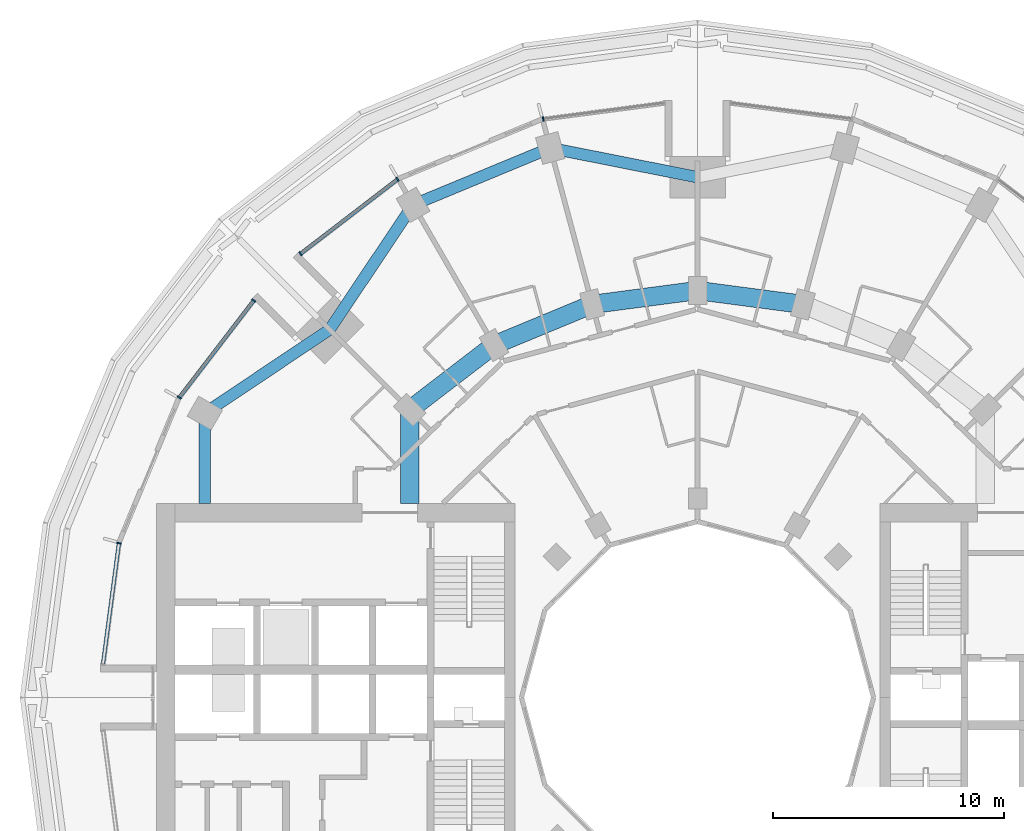
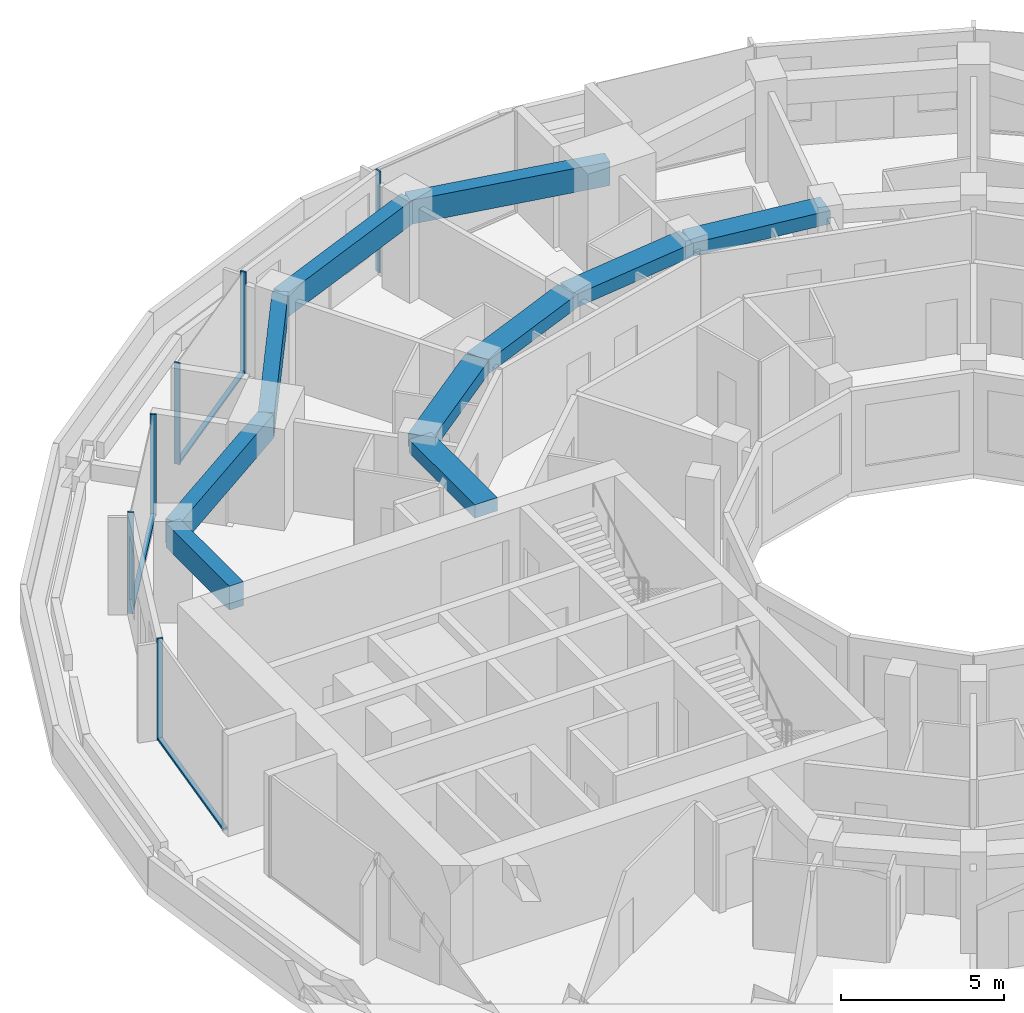
# One storey, part 5 of 19: 10 beams, 9 members, 4 elements without a shape of their own.
"""IFC4 building model written with IfcOpenShell, lengths in metres."""

from ifc_helpers import new_model, si_unit, direction, frame, origin, origin_2d, place, context, subcontext, project, spatial, rectangle, extrude, material, layer, layer_set, material_profile, profile_set, type_object, element, aggregate, save


model = new_model("IFC4")

# Units and contexts
model_context = context("Model", 3, precision=1e-05, world=origin(), true_north=direction((0.0, 1.0)))
body_context = subcontext(model_context, "Body", "Model", "MODEL_VIEW")
ifc_project = project(units=[si_unit("LENGTHUNIT", "METRE"), si_unit("AREAUNIT", "SQUARE_METRE"), si_unit("VOLUMEUNIT", "CUBIC_METRE"), si_unit("PLANEANGLEUNIT", "RADIAN"), si_unit("MASSUNIT", "GRAM", prefix="KILO")], contexts=[model_context])

# Site, building, storey
site_placement = place(None, origin())
site = spatial("IfcSite", under=ifc_project, at=site_placement, CompositionType="ELEMENT")
building_placement = place(site_placement, origin())
building = spatial("IfcBuilding", under=site, at=building_placement, Name="Torre Brocal", CompositionType="ELEMENT")
storey_placement = place(building_placement, frame((0.0, 0.0, 28.800048828125)))
storey = spatial("IfcBuildingStorey", under=building, at=storey_placement, Name="L05", CompositionType="ELEMENT", Elevation=28.800048828125)

# Curtain wall, member
ifc_material_1 = material(Name="Aluminium and glass", Category="aluminium")
ifc_layer_1 = layer(ifc_material_1, 0.199951171875)
ifc_layer_set_1 = layer_set([ifc_layer_1], Name="Aluminium and glass")
curtain_wall_type_1 = type_object("IfcCurtainWallType", Name="CW-1 CURTAIN WALL 3800 HIGH", PredefinedType="NOTDEFINED", material=ifc_layer_set_1)
curtain_wall_1_placement = place(storey_placement, origin())
curtain_wall_1 = element("IfcCurtainWall", 1, at=curtain_wall_1_placement, inside=storey, type_object=curtain_wall_type_1, Name="CW-1 RUN 7", PredefinedType="NOTDEFINED")
ifc_material_2 = material(Name="Aluminium, dark anodised", Category="aluminium")
ifc_material_profile_1 = material_profile(ifc_material_2, rectangle(XDim=0.199951171875, YDim=0.06005859375, at=origin_2d()), Name="CW-1 MULLION 60X200")
ifc_profile_set_1 = profile_set([ifc_material_profile_1], Name="Aluminium, dark anodised")
member_type_1 = type_object("IfcMemberType", Name="CW-1 MULLION 60X200", PredefinedType="MULLION", material=ifc_profile_set_1)
member_1_placement = place(storey_placement, frame((73.32666015625, 100.0205078125, 0.0), z_axis=(0.0, 0.0, 1.0), x_axis=(0.13052619222, -0.991444861374, 0.0)))
member_1 = element("IfcMember", 2, at=member_1_placement, type_object=member_type_1, Name="CW1-1 mullion 2", PredefinedType="MULLION", context=body_context, shape_type="SweptSolid", body=[
    extrude(rectangle(XDim=0.199951171875, YDim=0.06005859375, at=origin_2d()), origin(), (0.0, 0.0, 1.0), 3.800048828125),
])
aggregate(curtain_wall_1, [member_1])

# Curtain wall, members
curtain_wall_2_placement = place(storey_placement, origin())
curtain_wall_2 = element("IfcCurtainWall", 3, at=curtain_wall_2_placement, inside=storey, type_object=curtain_wall_type_1, Name="CW-1 RUN 9", PredefinedType="NOTDEFINED")
member_2_placement = place(storey_placement, frame((67.026611328125, 97.4111328125, 0.0), z_axis=(0.0, 0.0, 1.0), x_axis=(0.60876142905, -0.793353340259, 0.0)))
member_2 = element("IfcMember", 4, at=member_2_placement, type_object=member_type_1, Name="CW1-1 mullion 1", PredefinedType="MULLION", context=body_context, shape_type="SweptSolid", body=[
    extrude(rectangle(XDim=0.199951171875, YDim=0.06005859375, at=origin_2d()), origin(), (0.0, 0.0, 1.0), 3.800048828125),
])
member_3_placement = place(storey_placement, frame((62.83056640625, 94.19140625, 0.0), z_axis=(0.0, 0.0, 1.0), x_axis=(0.60876142905, -0.793353340259, 0.0)))
member_3 = element("IfcMember", 5, at=member_3_placement, type_object=member_type_1, Name="CW1-1 mullion 2", PredefinedType="MULLION", context=body_context, shape_type="SweptSolid", body=[
    extrude(rectangle(XDim=0.199951171875, YDim=0.06005859375, at=origin_2d()), origin(), (0.0, 0.0, 1.0), 3.800048828125),
])

curtain_wall_3_placement = place(storey_placement, origin())
curtain_wall_3 = element("IfcCurtainWall", 6, at=curtain_wall_3_placement, inside=storey, type_object=curtain_wall_type_1, Name="CW-1 RUN 10", PredefinedType="NOTDEFINED")
member_4_placement = place(storey_placement, frame((60.80859375, 92.16943359375, 0.0), z_axis=(0.0, 0.0, 1.0), x_axis=(0.793353340259, -0.60876142905, 0.0)))
member_4 = element("IfcMember", 7, at=member_4_placement, type_object=member_type_1, Name="CW1-1 mullion 1", PredefinedType="MULLION", context=body_context, shape_type="SweptSolid", body=[
    extrude(rectangle(XDim=0.199951171875, YDim=0.06005859375, at=origin_2d()), origin(), (0.0, 0.0, 1.0), 3.800048828125),
])
member_5_placement = place(storey_placement, frame((57.5888671875, 87.973388671875, 0.0), z_axis=(0.0, 0.0, 1.0), x_axis=(0.793353340259, -0.60876142905, 0.0)))
member_5 = element("IfcMember", 8, at=member_5_placement, type_object=member_type_1, Name="CW1-1 mullion 2", PredefinedType="MULLION", context=body_context, shape_type="SweptSolid", body=[
    extrude(rectangle(XDim=0.199951171875, YDim=0.06005859375, at=origin_2d()), origin(), (0.0, 0.0, 1.0), 3.800048828125),
])

# Member
ifc_material_3 = material(Name="Aluminium, dark anodised", Category="aluminium")
ifc_material_profile_2 = material_profile(ifc_material_3, rectangle(XDim=0.159912109375, YDim=0.080078125, at=origin_2d()), Name="CW-1 TRANSOM 160X80")
ifc_profile_set_2 = profile_set([ifc_material_profile_2], Name="Aluminium, dark anodised")
member_type_2 = type_object("IfcMemberType", Name="CW-1 TRANSOM 160X80", PredefinedType="USERDEFINED", material=ifc_profile_set_2)
member_6_placement = place(storey_placement, frame((67.0029296875, 97.392822265625, 0.0400390625), z_axis=(-0.79336281513, -0.60874908096, 0.0), x_axis=(0.60874908096, -0.79336281513, 0.0)))
member_6 = element("IfcMember", 9, at=member_6_placement, type_object=member_type_2, Name="CW1-1 transom 1.1", ObjectType="TRANSOM", PredefinedType="USERDEFINED", context=body_context, shape_type="SweptSolid", body=[
    extrude(rectangle(XDim=0.159912109375, YDim=0.080078125, at=origin_2d()), origin(), (0.0, 0.0, 1.0), 5.22900390625),
])

aggregate(curtain_wall_2, [member_2, member_3, member_6])

member_7_placement = place(storey_placement, frame((60.790283203125, 92.1455078125, 0.0400390625), z_axis=(-0.60874908096, -0.79336281513, 0.0), x_axis=(0.79336281513, -0.60874908096, 0.0)))
member_7 = element("IfcMember", 10, at=member_7_placement, type_object=member_type_2, Name="CW1-1 transom 1.1", ObjectType="TRANSOM", PredefinedType="USERDEFINED", context=body_context, shape_type="SweptSolid", body=[
    extrude(rectangle(XDim=0.159912109375, YDim=0.080078125, at=origin_2d()), origin(), (0.0, 0.0, 1.0), 5.22900390625),
])

aggregate(curtain_wall_3, [member_4, member_5, member_7])

# Curtain wall, members
ifc_material_4 = material(Name="Aluminium and glass", Category="aluminium")
ifc_layer_2 = layer(ifc_material_4, 0.199951171875)
ifc_layer_set_2 = layer_set([ifc_layer_2], Name="Aluminium and glass")
curtain_wall_type_2 = type_object("IfcCurtainWallType", Name="CW-1B CURTAIN WALL 3800 HIGH", PredefinedType="NOTDEFINED", material=ifc_layer_set_2)
curtain_wall_4_placement = place(storey_placement, origin())
curtain_wall_4 = element("IfcCurtainWall", 11, at=curtain_wall_4_placement, inside=storey, type_object=curtain_wall_type_2, Name="CW-1B RUN 12", PredefinedType="NOTDEFINED")
ifc_material_5 = material(Name="Aluminium, dark anodised", Category="aluminium")
ifc_material_profile_3 = material_profile(ifc_material_5, rectangle(XDim=0.199951171875, YDim=0.06005859375, at=origin_2d()), Name="CW-1B MULLION 60X200")
ifc_profile_set_3 = profile_set([ifc_material_profile_3], Name="Aluminium, dark anodised")
member_type_3 = type_object("IfcMemberType", Name="CW-1B MULLION 60X200", PredefinedType="MULLION", material=ifc_profile_set_3)
member_8_placement = place(storey_placement, frame((54.9794921875, 81.67333984375, 0.0), z_axis=(0.0, 0.0, 1.0), x_axis=(0.991444861374, -0.13052619222, 0.0)))
member_8 = element("IfcMember", 12, at=member_8_placement, type_object=member_type_3, Name="CW1B-1 mullion 1", PredefinedType="MULLION", context=body_context, shape_type="SweptSolid", body=[
    extrude(rectangle(XDim=0.199951171875, YDim=0.06005859375, at=origin_2d()), origin(), (0.0, 0.0, 1.0), 3.800048828125),
])
ifc_material_6 = material(Name="Aluminium, dark anodised", Category="aluminium")
ifc_material_profile_4 = material_profile(ifc_material_6, rectangle(XDim=0.159912109375, YDim=0.080078125, at=origin_2d()), Name="CW-1B TRANSOM 160X80")
ifc_profile_set_4 = profile_set([ifc_material_profile_4], Name="Aluminium, dark anodised")
member_type_4 = type_object("IfcMemberType", Name="CW-1B TRANSOM 160X80", PredefinedType="USERDEFINED", material=ifc_profile_set_4)
member_9_placement = place(storey_placement, frame((54.9755859375, 81.643798828125, 0.0400390625), z_axis=(-0.130542677827, -0.991442690863, 0.0), x_axis=(0.991442690863, -0.130542677827, 0.0)))
member_9 = element("IfcMember", 13, at=member_9_placement, type_object=member_type_4, Name="CW1B-1 transom 1.1", ObjectType="TRANSOM", PredefinedType="USERDEFINED", context=body_context, shape_type="SweptSolid", body=[
    extrude(rectangle(XDim=0.159912109375, YDim=0.080078125, at=origin_2d()), origin(), (0.0, 0.0, 1.0), 5.22900390625),
])
aggregate(curtain_wall_4, [member_8, member_9])

# Beams
ifc_material_7 = material(Name="Concrete C50", Category="concrete")
ifc_material_profile_5 = material_profile(ifc_material_7, rectangle(XDim=0.800048828125, YDim=0.5, at=origin_2d()), Name="RC 800X500")
ifc_profile_set_5 = profile_set([ifc_material_profile_5], Name="Concrete C50")
beam_type_1 = type_object("IfcBeamType", Name="RC BEAM 800X500 C50 TOP 3480", PredefinedType="BEAM", material=ifc_profile_set_5)
for number, where, z_axis, x_axis, name in (
    (14, (84.55517578125, 92.000244140625, 3.22998046875), (-0.991440544449, 0.130558978332, 0.0), (-0.130558978332, -0.991440544449, 0.0), "Beam BT-19"),
    (15, (80.0, 92.60009765625, 3.22998046875), (-0.991440544449, -0.130558978332, 0.0), (0.130558978332, -0.991440544449, 0.0), "Beam BT-19"),
):
    element("IfcBeam", number, at=place(storey_placement, frame(where, z_axis=z_axis, x_axis=x_axis)), inside=storey, type_object=beam_type_1, Name=name, PredefinedType="BEAM", context=body_context, shape_type="SweptSolid", body=[
        extrude(rectangle(XDim=0.800048828125, YDim=0.5, at=origin_2d()), origin(), (0.0, 0.0, 1.0), 4.594482421875),
    ])
beam_1_placement = place(storey_placement, frame((75.44482421875, 92.000244140625, 3.22998046875), z_axis=(-0.923878240166, -0.382686552348, 0.0), x_axis=(0.382686552348, -0.923878240166, 0.0)))
element("IfcBeam", 16, at=beam_1_placement, inside=storey, type_object=beam_type_1, Name="Beam BT-19", PredefinedType="BEAM", context=body_context, shape_type="SweptSolid", body=[
    extrude(rectangle(XDim=0.800048828125, YDim=0.5, at=origin_2d()), origin(), (0.0, 0.0, 1.0), 4.5947265625),
])
beam_2_placement = place(storey_placement, frame((71.199951171875, 90.241943359375, 3.22998046875), z_axis=(-0.793358265959, -0.6087550097, 0.0), x_axis=(0.6087550097, -0.793358265959, 0.0)))
element("IfcBeam", 17, at=beam_2_placement, inside=storey, type_object=beam_type_1, Name="Beam BT-19", PredefinedType="BEAM", context=body_context, shape_type="SweptSolid", body=[
    extrude(rectangle(XDim=0.800048828125, YDim=0.5, at=origin_2d()), origin(), (0.0, 0.0, 1.0), 4.594482421875),
])
beam_3_placement = place(storey_placement, frame((67.554931640625, 87.445068359375, 3.22998046875), z_axis=(0.0, -1.0, 0.0), x_axis=(1.0, 0.0, 0.0)))
element("IfcBeam", 18, at=beam_3_placement, inside=storey, type_object=beam_type_1, Name="Beam BT-19", PredefinedType="BEAM", context=body_context, shape_type="SweptSolid", body=[
    extrude(rectangle(XDim=0.800048828125, YDim=0.5, at=origin_2d()), origin(), (0.0, 0.0, 1.0), 4.045166015625),
])
ifc_material_8 = material(Name="Concrete C50", Category="concrete")
ifc_material_profile_6 = material_profile(ifc_material_8, rectangle(XDim=0.5, YDim=0.89990234375, at=origin_2d()), Name="RC 500X900")
ifc_profile_set_6 = profile_set([ifc_material_profile_6], Name="Concrete C50")
beam_type_2 = type_object("IfcBeamType", Name="RC SPANDREL BEAM 500X900 C50 TOP 3480", PredefinedType="SPANDREL", material=ifc_profile_set_6)
beam_4_placement = place(storey_placement, frame((80.0, 97.5, 3.030029296875), z_axis=(-0.980924907484, 0.194387051723, 0.0), x_axis=(-0.194387051723, -0.980924907484, 0.0)))
element("IfcBeam", 19, at=beam_4_placement, inside=storey, type_object=beam_type_2, Name="Beam BT-20", PredefinedType="SPANDREL", context=body_context, shape_type="SweptSolid", body=[
    extrude(rectangle(XDim=0.5, YDim=0.89990234375, at=origin_2d()), origin(), (0.0, 0.0, 1.0), 6.49072265625),
])
beam_5_placement = place(storey_placement, frame((73.633056640625, 98.76171875, 3.030029296875), z_axis=(-0.923882462513, -0.382676358639, 0.0), x_axis=(0.382676358639, -0.923882462513, 0.0)))
element("IfcBeam", 20, at=beam_5_placement, inside=storey, type_object=beam_type_2, Name="Beam BT-20", PredefinedType="SPANDREL", context=body_context, shape_type="SweptSolid", body=[
    extrude(rectangle(XDim=0.5, YDim=0.89990234375, at=origin_2d()), origin(), (0.0, 0.0, 1.0), 6.421875),
])
for number, where, z_axis, x_axis, name in (
    (21, (67.699951171875, 96.30419921875, 3.030029296875), (-0.556157602282, -0.831076844476, 0.0), (0.831076844476, -0.556157602282, 0.0), "Beam BT-20"),
    (22, (64.090087890625, 90.909912109375, 3.030029296875), (-0.831076844476, -0.556157602282, 0.0), (0.556157602282, -0.831076844476, 0.0), "Beam BT-20"),
):
    element("IfcBeam", number, at=place(storey_placement, frame(where, z_axis=z_axis, x_axis=x_axis)), inside=storey, type_object=beam_type_2, Name=name, PredefinedType="SPANDREL", context=body_context, shape_type="SweptSolid", body=[
        extrude(rectangle(XDim=0.5, YDim=0.89990234375, at=origin_2d()), origin(), (0.0, 0.0, 1.0), 6.49072265625),
    ])
beam_6_placement = place(storey_placement, frame((58.69580078125, 87.300048828125, 3.030029296875), z_axis=(0.0, -1.0, 0.0), x_axis=(1.0, 0.0, 0.0)))
element("IfcBeam", 23, at=beam_6_placement, inside=storey, type_object=beam_type_2, Name="Beam BT-20", PredefinedType="SPANDREL", context=body_context, shape_type="SweptSolid", body=[
    extrude(rectangle(XDim=0.5, YDim=0.89990234375, at=origin_2d()), origin(), (0.0, 0.0, 1.0), 3.900146484375),
])

save(model, "model.ifc")
